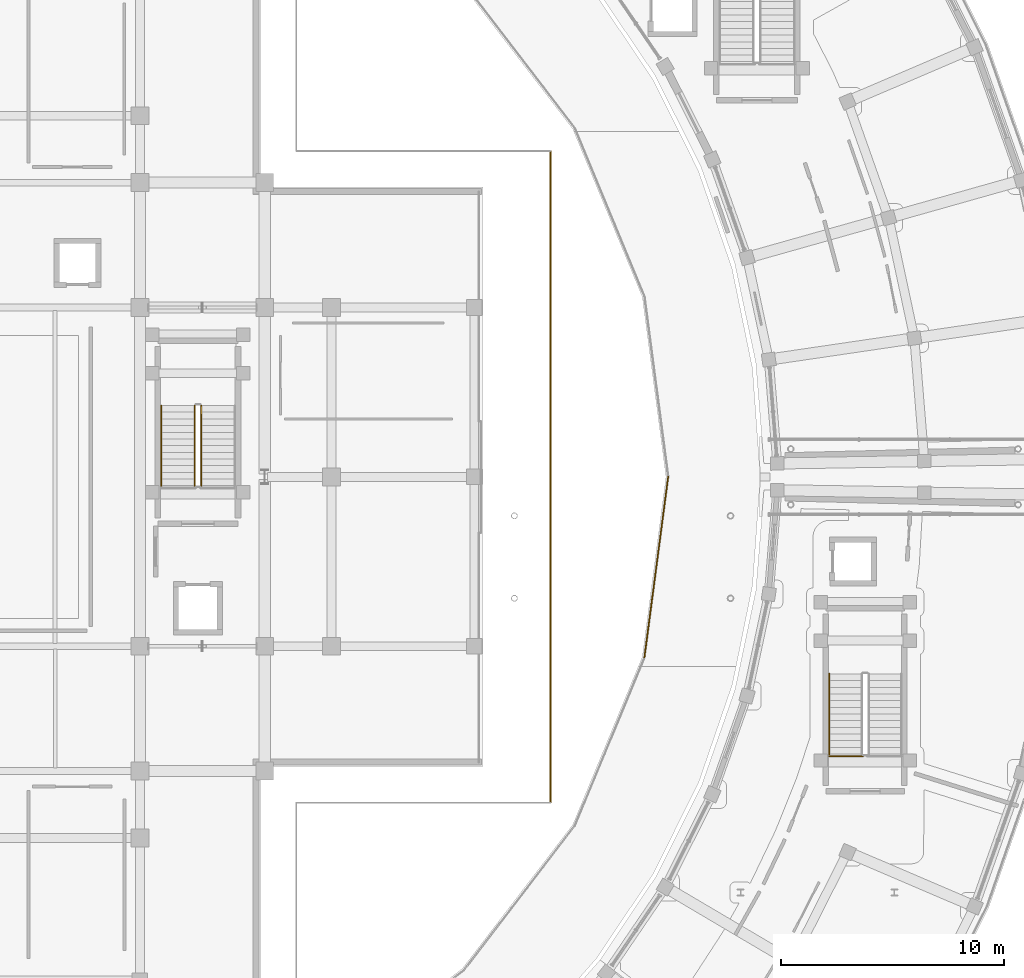
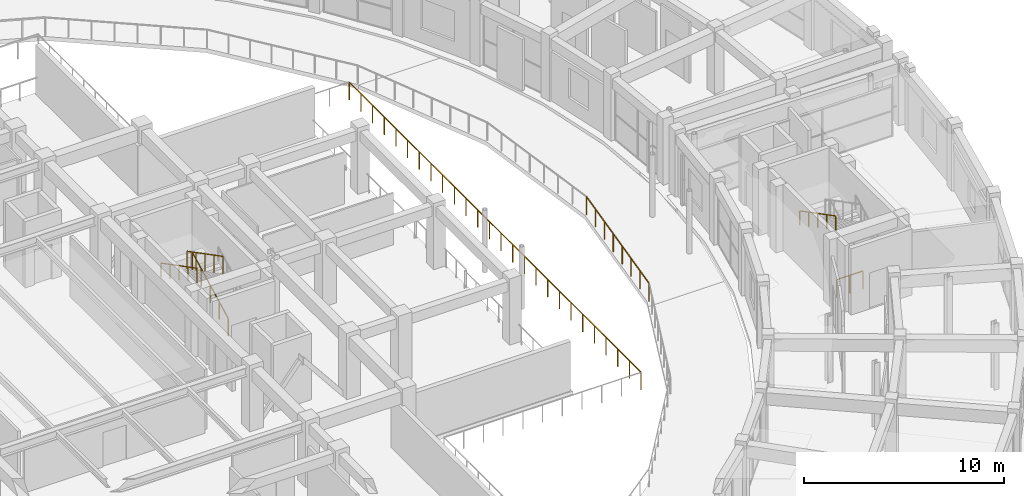
# One storey, part 77 of 83: 7 railings.
"""IFC4 building model written with IfcOpenShell, lengths in metres."""

from ifc_helpers import new_model, si_unit, direction, frame, origin, origin_2d, place, context, subcontext, project, spatial, rectangle, extrude, material, layer, layer_set, type_object, element, save


model = new_model("IFC4")

# Units and contexts
model_context = context("Model", 3, precision=1e-05, world=origin(), true_north=direction((0.0, 1.0)))
body_context = subcontext(model_context, "Body", "Model", "MODEL_VIEW")
ifc_project = project(units=[si_unit("LENGTHUNIT", "METRE"), si_unit("AREAUNIT", "SQUARE_METRE"), si_unit("VOLUMEUNIT", "CUBIC_METRE"), si_unit("PLANEANGLEUNIT", "RADIAN"), si_unit("MASSUNIT", "GRAM", prefix="KILO")], contexts=[model_context])

# Site, building, storey
site_placement = place(None, origin())
site = spatial("IfcSite", under=ifc_project, at=site_placement, CompositionType="ELEMENT")
building_placement = place(site_placement, origin())
building = spatial("IfcBuilding", under=site, at=building_placement, Name="Saryqyr Civic Hall", CompositionType="ELEMENT")
storey_placement = place(building_placement, frame((0.0, 0.0, 9.14990234375)))
storey = spatial("IfcBuildingStorey", under=building, at=storey_placement, Name="L02", CompositionType="ELEMENT", Elevation=9.14990234375)

# Railings
ifc_material_1 = material(Name="Stainless steel and laminated glass", Category="steel")
ifc_layer_1 = layer(ifc_material_1, 0.06005859375, Name="Stainless steel and laminated glass")
ifc_layer_set_1 = layer_set([ifc_layer_1], Name="Stainless steel and laminated glass")
railing_type_1 = type_object("IfcRailingType", Name="ENV-RLG-BAL-1100", PredefinedType="BALUSTRADE", material=ifc_layer_set_1)
railing_1_placement = place(storey_placement, frame((83.02001953125, 69.3798828125, 0.0)))
element("IfcRailing", 1, at=railing_1_placement, inside=storey, type_object=railing_type_1, Name="Perimeter safety balustrade V1-STEPG-L02-G04", PredefinedType="BALUSTRADE", context=body_context, shape_type="SweptSolid", body=[
    extrude(rectangle(XDim=0.048095703125, YDim=0.048095703125, at=origin_2d()), frame((0.0, 0.0, 1.076171875), z_axis=(0.0, 1.0, 0.0), x_axis=(-1.0, 0.0, 0.0)), (0.0, 0.0, 1.0), 29.240234375),
    extrude(rectangle(XDim=0.0419921875, YDim=0.0419921875, at=origin_2d()), origin(), (0.0, 0.0, 1.0), 1.052001953125),
    extrude(rectangle(XDim=0.0419921875, YDim=0.0419921875, at=origin_2d()), frame((0.0, 1.169677734375, 0.0)), (0.0, 0.0, 1.0), 1.052001953125),
    extrude(rectangle(XDim=0.0419921875, YDim=0.0419921875, at=origin_2d()), frame((0.0, 2.339111328125, 0.0)), (0.0, 0.0, 1.0), 1.052001953125),
    extrude(rectangle(XDim=0.0419921875, YDim=0.0419921875, at=origin_2d()), frame((0.0, 3.5087890625, 0.0)), (0.0, 0.0, 1.0), 1.052001953125),
    extrude(rectangle(XDim=0.0419921875, YDim=0.0419921875, at=origin_2d()), frame((0.0, 4.678466796875, 0.0)), (0.0, 0.0, 1.0), 1.052001953125),
    extrude(rectangle(XDim=0.0419921875, YDim=0.0419921875, at=origin_2d()), frame((0.0, 5.84814453125, 0.0)), (0.0, 0.0, 1.0), 1.052001953125),
    extrude(rectangle(XDim=0.0419921875, YDim=0.0419921875, at=origin_2d()), frame((0.0, 7.017578125, 0.0)), (0.0, 0.0, 1.0), 1.052001953125),
    extrude(rectangle(XDim=0.0419921875, YDim=0.0419921875, at=origin_2d()), frame((0.0, 8.187255859375, 0.0)), (0.0, 0.0, 1.0), 1.052001953125),
    extrude(rectangle(XDim=0.0419921875, YDim=0.0419921875, at=origin_2d()), frame((0.0, 9.35693359375, 0.0)), (0.0, 0.0, 1.0), 1.052001953125),
    extrude(rectangle(XDim=0.0419921875, YDim=0.0419921875, at=origin_2d()), frame((0.0, 10.5263671875, 0.0)), (0.0, 0.0, 1.0), 1.052001953125),
    extrude(rectangle(XDim=0.0419921875, YDim=0.0419921875, at=origin_2d()), frame((0.0, 11.696044921875, 0.0)), (0.0, 0.0, 1.0), 1.052001953125),
    extrude(rectangle(XDim=0.0419921875, YDim=0.0419921875, at=origin_2d()), frame((0.0, 12.86572265625, 0.0)), (0.0, 0.0, 1.0), 1.052001953125),
    extrude(rectangle(XDim=0.0419921875, YDim=0.0419921875, at=origin_2d()), frame((0.0, 14.035400390625, 0.0)), (0.0, 0.0, 1.0), 1.052001953125),
    extrude(rectangle(XDim=0.0419921875, YDim=0.0419921875, at=origin_2d()), frame((0.0, 15.204833984375, 0.0)), (0.0, 0.0, 1.0), 1.052001953125),
    extrude(rectangle(XDim=0.0419921875, YDim=0.0419921875, at=origin_2d()), frame((0.0, 16.37451171875, 0.0)), (0.0, 0.0, 1.0), 1.052001953125),
    extrude(rectangle(XDim=0.0419921875, YDim=0.0419921875, at=origin_2d()), frame((0.0, 17.544189453125, 0.0)), (0.0, 0.0, 1.0), 1.052001953125),
    extrude(rectangle(XDim=0.0419921875, YDim=0.0419921875, at=origin_2d()), frame((0.0, 18.7138671875, 0.0)), (0.0, 0.0, 1.0), 1.052001953125),
    extrude(rectangle(XDim=0.0419921875, YDim=0.0419921875, at=origin_2d()), frame((0.0, 19.88330078125, 0.0)), (0.0, 0.0, 1.0), 1.052001953125),
    extrude(rectangle(XDim=0.0419921875, YDim=0.0419921875, at=origin_2d()), frame((0.0, 21.052978515625, 0.0)), (0.0, 0.0, 1.0), 1.052001953125),
    extrude(rectangle(XDim=0.0419921875, YDim=0.0419921875, at=origin_2d()), frame((0.0, 22.22265625, 0.0)), (0.0, 0.0, 1.0), 1.052001953125),
    extrude(rectangle(XDim=0.0419921875, YDim=0.0419921875, at=origin_2d()), frame((0.0, 23.39208984375, 0.0)), (0.0, 0.0, 1.0), 1.052001953125),
    extrude(rectangle(XDim=0.0419921875, YDim=0.0419921875, at=origin_2d()), frame((0.0, 24.561767578125, 0.0)), (0.0, 0.0, 1.0), 1.052001953125),
    extrude(rectangle(XDim=0.0419921875, YDim=0.0419921875, at=origin_2d()), frame((0.0, 25.7314453125, 0.0)), (0.0, 0.0, 1.0), 1.052001953125),
    extrude(rectangle(XDim=0.0419921875, YDim=0.0419921875, at=origin_2d()), frame((0.0, 26.901123046875, 0.0)), (0.0, 0.0, 1.0), 1.052001953125),
    extrude(rectangle(XDim=0.0419921875, YDim=0.0419921875, at=origin_2d()), frame((0.0, 28.070556640625, 0.0)), (0.0, 0.0, 1.0), 1.052001953125),
    extrude(rectangle(XDim=0.0419921875, YDim=0.0419921875, at=origin_2d()), frame((0.0, 29.240234375, 0.0)), (0.0, 0.0, 1.0), 1.052001953125),
])
ifc_material_2 = material(Name="Warm brushed brass and laminated glass", Category="glass")
ifc_layer_2 = layer(ifc_material_2, 0.06005859375, Name="Warm brushed brass and laminated glass")
ifc_layer_set_2 = layer_set([ifc_layer_2], Name="Warm brushed brass and laminated glass")
railing_type_2 = type_object("IfcRailingType", Name="INT-RLG-BAL-1100", PredefinedType="BALUSTRADE", material=ifc_layer_set_2)
railing_2_placement = place(storey_placement, frame((67.35009765625, 83.60009765625, 0.15576171875)))
element("IfcRailing", 2, at=railing_2_placement, inside=storey, type_object=railing_type_2, Name="L02 ST-2 stair guard 1", PredefinedType="BALUSTRADE", context=body_context, shape_type="SweptSolid", body=[
    extrude(rectangle(XDim=0.048095703125, YDim=0.048095703125, at=origin_2d()), frame((0.0, 0.0, 1.076171875), z_axis=(0.0, 0.887472880572, 0.460859942119), x_axis=(-1.0, 0.0, 0.0)), (0.0, 0.0, 1.0), 4.056396484375),
    extrude(rectangle(XDim=0.0419921875, YDim=0.0419921875, at=origin_2d()), origin(), (0.0, 0.0, 1.0), 1.052001953125),
    extrude(rectangle(XDim=0.0419921875, YDim=0.0419921875, at=origin_2d()), frame((0.0, 0.89990234375, 0.46728515625)), (0.0, 0.0, 1.0), 1.052001953125),
    extrude(rectangle(XDim=0.0419921875, YDim=0.0419921875, at=origin_2d()), frame((0.0, 1.7998046875, 0.9345703125)), (0.0, 0.0, 1.0), 1.052001953125),
    extrude(rectangle(XDim=0.0419921875, YDim=0.0419921875, at=origin_2d()), frame((0.0, 2.699951171875, 1.402099609375)), (0.0, 0.0, 1.0), 1.052001953125),
    extrude(rectangle(XDim=0.0419921875, YDim=0.0419921875, at=origin_2d()), frame((0.0, 3.599853515625, 1.869384765625)), (0.0, 0.0, 1.0), 1.052001953125),
])
railing_3_placement = place(storey_placement, frame((67.050048828125, 87.199951171875, 2.180908203125)))
element("IfcRailing", 3, at=railing_3_placement, inside=storey, type_object=railing_type_2, Name="L02 ST-2 stair guard 3", PredefinedType="BALUSTRADE", context=body_context, shape_type="SweptSolid", body=[
    extrude(rectangle(XDim=0.048095703125, YDim=0.048095703125, at=origin_2d()), frame((0.0, 0.0, 1.076171875), z_axis=(0.0, -0.887497496945, 0.460812535545), x_axis=(1.0, 0.0, 0.0)), (0.0, 0.0, 1.0), 4.05615234375),
    extrude(rectangle(XDim=0.0419921875, YDim=0.0419921875, at=origin_2d()), origin(), (0.0, 0.0, 1.0), 1.052001953125),
    extrude(rectangle(XDim=0.0419921875, YDim=0.0419921875, at=origin_2d()), frame((0.0, -0.89990234375, 0.46728515625)), (0.0, 0.0, 1.0), 1.052001953125),
    extrude(rectangle(XDim=0.0419921875, YDim=0.0419921875, at=origin_2d()), frame((0.0, -1.7998046875, 0.9345703125)), (0.0, 0.0, 1.0), 1.052001953125),
    extrude(rectangle(XDim=0.0419921875, YDim=0.0419921875, at=origin_2d()), frame((0.0, -2.699951171875, 1.40185546875)), (0.0, 0.0, 1.0), 1.052001953125),
    extrude(rectangle(XDim=0.0419921875, YDim=0.0419921875, at=origin_2d()), frame((0.0, -3.599853515625, 1.869140625)), (0.0, 0.0, 1.0), 1.052001953125),
])
railing_4_placement = place(storey_placement, frame((95.52490234375, 71.4599609375, 0.0)))
element("IfcRailing", 4, at=railing_4_placement, inside=storey, type_object=railing_type_2, Name="Interior deck safety balustrade L02-052", PredefinedType="BALUSTRADE", context=body_context, shape_type="SweptSolid", body=[
    extrude(rectangle(XDim=0.048095703125, YDim=0.048095703125, at=origin_2d()), frame((0.0, 0.0, 1.09619140625), z_axis=(1.0, 0.0, 0.0), x_axis=(0.0, 1.0, 0.0)), (0.0, 0.0, 1.0), 1.51513671875),
    extrude(rectangle(XDim=0.0419921875, YDim=0.0419921875, at=origin_2d()), origin(), (0.0, 0.0, 1.0), 1.072021484375),
    extrude(rectangle(XDim=0.0419921875, YDim=0.0419921875, at=origin_2d()), frame((0.757568359375, 0.0, 0.0)), (0.0, 0.0, 1.0), 1.072021484375),
    extrude(rectangle(XDim=0.0419921875, YDim=0.0419921875, at=origin_2d()), frame((1.51513671875, 0.0, 0.0)), (0.0, 0.0, 1.0), 1.072021484375),
])
railing_5_placement = place(storey_placement, frame((87.234375, 75.898681640625, 0.0)))
element("IfcRailing", 5, at=railing_5_placement, inside=storey, type_object=railing_type_2, Name="Interior deck safety balustrade L02-065", PredefinedType="BALUSTRADE", context=body_context, shape_type="SweptSolid", body=[
    extrude(rectangle(XDim=0.048095703125, YDim=0.048095703125, at=origin_2d()), frame((0.0, 0.0, 1.09619140625), z_axis=(0.130507841558, 0.991447277112, 0.0), x_axis=(-0.991447277112, 0.130507841558, 0.0)), (0.0, 0.0, 1.0), 8.171142578125),
    extrude(rectangle(XDim=0.0419921875, YDim=0.0419921875, at=origin_2d()), origin(), (0.0, 0.0, 1.0), 1.072021484375),
    extrude(rectangle(XDim=0.0419921875, YDim=0.0419921875, at=origin_2d()), frame((0.15234375, 1.1572265625, 0.0)), (0.0, 0.0, 1.0), 1.072021484375),
    extrude(rectangle(XDim=0.0419921875, YDim=0.0419921875, at=origin_2d()), frame((0.3046875, 2.314697265625, 0.0)), (0.0, 0.0, 1.0), 1.072021484375),
    extrude(rectangle(XDim=0.0419921875, YDim=0.0419921875, at=origin_2d()), frame((0.45703125, 3.471923828125, 0.0)), (0.0, 0.0, 1.0), 1.072021484375),
    extrude(rectangle(XDim=0.0419921875, YDim=0.0419921875, at=origin_2d()), frame((0.609375, 4.62939453125, 0.0)), (0.0, 0.0, 1.0), 1.072021484375),
    extrude(rectangle(XDim=0.0419921875, YDim=0.0419921875, at=origin_2d()), frame((0.76171875, 5.78662109375, 0.0)), (0.0, 0.0, 1.0), 1.072021484375),
    extrude(rectangle(XDim=0.0419921875, YDim=0.0419921875, at=origin_2d()), frame((0.9140625, 6.944091796875, 0.0)), (0.0, 0.0, 1.0), 1.072021484375),
    extrude(rectangle(XDim=0.0419921875, YDim=0.0419921875, at=origin_2d()), frame((1.06640625, 8.101318359375, 0.0)), (0.0, 0.0, 1.0), 1.072021484375),
])
ifc_material_3 = material(Name="Stainless steel", Category="steel")
ifc_layer_3 = layer(ifc_material_3, 0.050048828125, Name="Stainless steel")
ifc_layer_set_3 = layer_set([ifc_layer_3], Name="Stainless steel")
railing_type_3 = type_object("IfcRailingType", Name="INT-RLG-HND-900", PredefinedType="HANDRAIL", material=ifc_layer_set_3)
for number, where, name in (
    (6, (65.550048828125, 87.199951171875, 2.180908203125), "L02 ST-2 stair handrail 2"),
    (7, (95.530029296875, 75.159912109375, 2.180908203125), "L02 ST-5 stair handrail 2"),
):
    element("IfcRailing", number, at=place(storey_placement, frame(where)), inside=storey, type_object=railing_type_3, Name=name, PredefinedType="HANDRAIL", context=body_context, shape_type="SweptSolid", body=[
        extrude(rectangle(XDim=0.048095703125, YDim=0.048095703125, at=origin_2d()), frame((0.0, 0.0, 0.8759765625), z_axis=(0.0, -0.887497496945, 0.460812535545), x_axis=(1.0, 0.0, 0.0)), (0.0, 0.0, 1.0), 4.05615234375),
        extrude(rectangle(XDim=0.0419921875, YDim=0.0419921875, at=origin_2d()), origin(), (0.0, 0.0, 1.0), 0.851806640625),
        extrude(rectangle(XDim=0.0419921875, YDim=0.0419921875, at=origin_2d()), frame((0.0, -0.89990234375, 0.46728515625)), (0.0, 0.0, 1.0), 0.851806640625),
        extrude(rectangle(XDim=0.0419921875, YDim=0.0419921875, at=origin_2d()), frame((0.0, -1.7998046875, 0.9345703125)), (0.0, 0.0, 1.0), 0.851806640625),
        extrude(rectangle(XDim=0.0419921875, YDim=0.0419921875, at=origin_2d()), frame((0.0, -2.699951171875, 1.40185546875)), (0.0, 0.0, 1.0), 0.851806640625),
        extrude(rectangle(XDim=0.0419921875, YDim=0.0419921875, at=origin_2d()), frame((0.0, -3.599853515625, 1.869140625)), (0.0, 0.0, 1.0), 0.851806640625),
    ])

save(model, "model.ifc")
